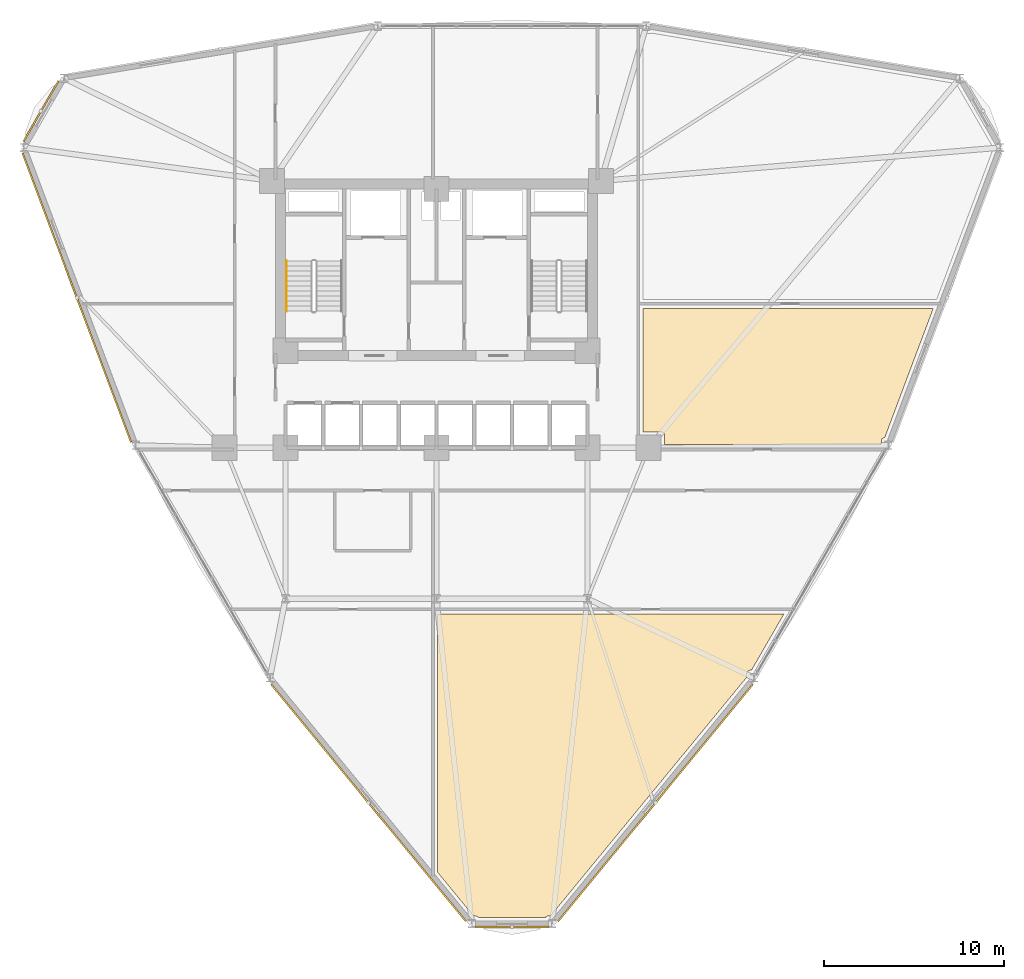
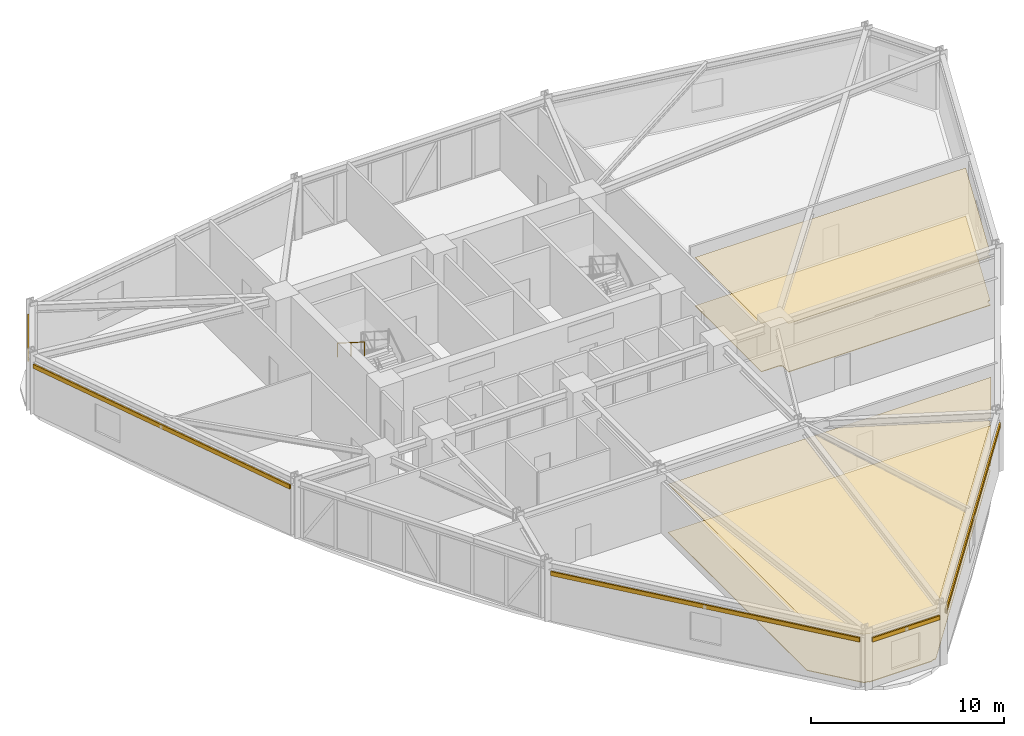
# One storey, part 18 of 20: 5 shading devices, 4 coverings, 1 railing.
"""IFC4 building model written with IfcOpenShell, lengths in metres."""

from ifc_helpers import new_model, si_unit, derived_unit, direction, frame, origin, origin_2d, place, context, subcontext, project, spatial, polyline, hollow_rectangle, circle, outline, extrude, source, transform, mapped, material, layer, layer_set, material_profile, profile_set, type_object, element, save


model = new_model("IFC4")

# Units and contexts
model_context = context("Model", 3, precision=1e-05, world=origin(), true_north=direction((0.0, 1.0)))
body_context = subcontext(model_context, "Body", "Model", "MODEL_VIEW")
ifc_project = project(units=[si_unit("LENGTHUNIT", "METRE"), si_unit("AREAUNIT", "SQUARE_METRE"), si_unit("VOLUMEUNIT", "CUBIC_METRE"), si_unit("PLANEANGLEUNIT", "RADIAN"), si_unit("MASSUNIT", "GRAM", prefix="KILO"), derived_unit("THERMALTRANSMITTANCEUNIT", [(si_unit("POWERUNIT", "WATT"), 1), (si_unit("LENGTHUNIT", "METRE"), -2), (si_unit("THERMODYNAMICTEMPERATUREUNIT", "KELVIN"), -1)])], contexts=[model_context])

# Site, building, storey
site_placement = place(None, origin())
site = spatial("IfcSite", under=ifc_project, at=site_placement, CompositionType="ELEMENT")
building_placement = place(site_placement, origin())
building = spatial("IfcBuilding", under=site, at=building_placement, Name="Korsvarv Bourse and Concert Hall", CompositionType="ELEMENT")
storey_placement = place(building_placement, frame((0.0, 0.0, 75.60009765625)))
storey = spatial("IfcBuildingStorey", under=building, at=storey_placement, Name="L18", CompositionType="ELEMENT", Elevation=75.60009765625)

# Coverings
ifc_material_1 = material(Name="Perforated mineral-wool and birch acoustic baffle ceiling", Category="wood")
ifc_layer_1 = layer(ifc_material_1, 0.02490234375)
ifc_layer_set_1 = layer_set([ifc_layer_1], Name="Perforated mineral-wool and birch acoustic baffle ceiling")
covering_type_1 = type_object("IfcCoveringType", Name="COV-CEIL-1", PredefinedType="CEILING", material=ifc_layer_set_1)
covering_1_placement = place(storey_placement, frame((0.0, 0.0, 3.059814453125)))
element("IfcCovering", 1, at=covering_1_placement, inside=storey, type_object=covering_type_1, Name="L18 acoustic baffle ceiling 2", PredefinedType="CEILING", context=body_context, shape_type="SweptSolid", body=[
    extrude(outline(polyline([(55.32958984375, 23.14990234375), (53.525634765625, 20.025146484375), (53.459716796875, 20.025146484375), (53.42529296875, 20.021728515625), (53.392333984375, 20.011962890625), (53.36181640625, 19.99609375), (53.334716796875, 19.974853515625), (53.312255859375, 19.948486328125), (53.29541015625, 19.918701171875), (53.2841796875, 19.885986328125), (53.27978515625, 19.851806640625), (53.27197265625, 19.6474609375), (42.344970703125, 6.352783203125), (42.22216796875, 6.352783203125), (42.1875, 6.349365234375), (42.154052734375, 6.33935546875), (42.123291015625, 6.322998046875), (42.095947265625, 6.30126953125), (42.073486328125, 6.2744140625), (38.335205078125, 6.265869140625), (38.318115234375, 6.287109375), (38.2919921875, 6.3095703125), (38.262451171875, 6.32666015625), (38.22998046875, 6.337890625), (38.196044921875, 6.342529296875), (38.05810546875, 6.348876953125), (36.050048828125, 8.792236328125), (36.050048828125, 23.14990234375), (55.32958984375, 23.14990234375)])), origin(), (0.0, 0.0, 1.0), 0.025146484375),
])
covering_2_placement = place(storey_placement, frame((0.0, 0.0, 3.059814453125)))
element("IfcCovering", 2, at=covering_2_placement, inside=storey, type_object=covering_type_1, Name="L18 acoustic baffle ceiling 3", PredefinedType="CEILING", context=body_context, shape_type="SweptSolid", body=[
    extrude(outline(polyline([(48.68994140625, 32.570068359375), (48.68994140625, 33.10009765625), (48.6865234375, 33.135009765625), (48.676513671875, 33.16845703125), (48.659912109375, 33.199462890625), (48.6376953125, 33.226806640625), (48.61083984375, 33.2490234375), (48.579833984375, 33.265869140625), (48.54638671875, 33.2763671875), (48.511474609375, 33.280029296875), (47.47998046875, 33.28857421875), (47.47998046875, 40.14990234375), (63.63720703125, 40.14990234375), (60.9375, 32.961181640625), (60.910888671875, 32.96044921875), (60.877197265625, 32.953857421875), (60.844970703125, 32.94091796875), (60.816162109375, 32.921875), (60.791259765625, 32.89794921875), (60.771484375, 32.869384765625), (60.757568359375, 32.837890625), (60.749755859375, 32.80419921875), (60.741455078125, 32.5693359375), (48.68994140625, 32.570068359375)])), origin(), (0.0, 0.0, 1.0), 0.025146484375),
])
ifc_material_2 = material(Name="Calcium-sulphate raised access trading floor with Nordic oak top", Category="wood")
ifc_layer_2 = layer(ifc_material_2, 0.0400390625)
ifc_layer_set_2 = layer_set([ifc_layer_2], Name="Calcium-sulphate raised access trading floor with Nordic oak top")
covering_type_2 = type_object("IfcCoveringType", Name="COV-FLOR-1", PredefinedType="FLOORING", material=ifc_layer_set_2)
covering_3_placement = place(storey_placement, origin())
element("IfcCovering", 3, at=covering_3_placement, inside=storey, type_object=covering_type_2, Name="L18 raised access oak floor finish 2", PredefinedType="FLOORING", context=body_context, shape_type="SweptSolid", body=[
    extrude(outline(polyline([(55.32958984375, 23.14990234375), (53.525634765625, 20.025146484375), (53.459716796875, 20.025146484375), (53.42529296875, 20.021728515625), (53.392333984375, 20.011962890625), (53.36181640625, 19.99609375), (53.334716796875, 19.974853515625), (53.312255859375, 19.948486328125), (53.29541015625, 19.918701171875), (53.2841796875, 19.885986328125), (53.27978515625, 19.851806640625), (53.27197265625, 19.6474609375), (42.344970703125, 6.352783203125), (42.22216796875, 6.352783203125), (42.1875, 6.349365234375), (42.154052734375, 6.33935546875), (42.123291015625, 6.322998046875), (42.095947265625, 6.30126953125), (42.073486328125, 6.2744140625), (38.335205078125, 6.265869140625), (38.318115234375, 6.287109375), (38.2919921875, 6.3095703125), (38.262451171875, 6.32666015625), (38.22998046875, 6.337890625), (38.196044921875, 6.342529296875), (38.05810546875, 6.348876953125), (36.050048828125, 8.792236328125), (36.050048828125, 23.14990234375), (55.32958984375, 23.14990234375)])), origin(), (0.0, 0.0, 1.0), 0.039794921875),
])
covering_4_placement = place(storey_placement, origin())
element("IfcCovering", 4, at=covering_4_placement, inside=storey, type_object=covering_type_2, Name="L18 raised access oak floor finish 3", PredefinedType="FLOORING", context=body_context, shape_type="SweptSolid", body=[
    extrude(outline(polyline([(48.68994140625, 32.570068359375), (48.68994140625, 33.10009765625), (48.6865234375, 33.135009765625), (48.676513671875, 33.16845703125), (48.659912109375, 33.199462890625), (48.6376953125, 33.226806640625), (48.61083984375, 33.2490234375), (48.579833984375, 33.265869140625), (48.54638671875, 33.2763671875), (48.511474609375, 33.280029296875), (47.47998046875, 33.28857421875), (47.47998046875, 40.14990234375), (63.63720703125, 40.14990234375), (60.9375, 32.961181640625), (60.910888671875, 32.96044921875), (60.877197265625, 32.953857421875), (60.844970703125, 32.94091796875), (60.816162109375, 32.921875), (60.791259765625, 32.89794921875), (60.771484375, 32.869384765625), (60.757568359375, 32.837890625), (60.749755859375, 32.80419921875), (60.741455078125, 32.5693359375), (48.68994140625, 32.570068359375)])), origin(), (0.0, 0.0, 1.0), 0.039794921875),
])

# Railing
ifc_material_3 = material(Name="Brushed stainless Steel S355 tubular handrail", Category="steel")
railing_type = type_object("IfcRailingType", Name="RL-ST-HND", PredefinedType="HANDRAIL", material=ifc_material_3)
railing_placement = place(storey_placement, frame((27.64990234375, 42.800048828125, 2.127197265625)))
element("IfcRailing", 5, at=railing_placement, inside=storey, type_object=railing_type, Name="L18 ST-T1 stair handrail 2", PredefinedType="HANDRAIL", context=body_context, shape_type="SweptSolid", body=[
    extrude(circle(Radius=0.02392578125, at=origin_2d()), frame((0.0, 0.0, 0.8759765625), z_axis=(0.0, -0.844908973607, 0.534910110503), x_axis=(1.0, 0.0, 0.0)), (0.0, 0.0, 1.0), 3.31396484375),
    extrude(circle(Radius=0.02099609375, at=origin_2d()), origin(), (0.0, 0.0, 1.0), 0.851806640625),
    extrude(circle(Radius=0.02099609375, at=origin_2d()), frame((0.0, -1.39990234375, 0.88623046875)), (0.0, 0.0, 1.0), 0.851806640625),
    extrude(circle(Radius=0.02099609375, at=origin_2d()), frame((0.0, -2.800048828125, 1.772705078125)), (0.0, 0.0, 1.0), 0.851806640625),
])

# Shading devices
ifc_material_4 = material(Name="Glazed extruded architectural terracotta", Category="ceramic")
ifc_material_profile = material_profile(ifc_material_4, hollow_rectangle(XDim=0.090087890625, YDim=0.260009765625, WallThickness=0.011962890625, at=origin_2d()), Name="TC-BAG 90x260")
ifc_profile_set = profile_set([ifc_material_profile], Name="Glazed extruded architectural terracotta")
shading_device_type = type_object("IfcShadingDeviceType", Name="SHD-BAG-1", PredefinedType="USERDEFINED", material=ifc_profile_set)
shared_shape_1 = source(origin(), body_context, "Body", "SweptSolid", [
    extrude(hollow_rectangle(XDim=0.090087890625, YDim=0.260009765625, WallThickness=0.011962890625, at=origin_2d()), origin(), (0.0, 0.0, 1.0), 3.90966796875),
])
shading_device_1_placement = place(storey_placement, frame((14.97216796875, 52.822509765625, 3.06982421875), z_axis=(-0.500014353419, -0.866017116675, 0.0), x_axis=(0.866017116675, -0.500014353419, 0.0)))
element("IfcShadingDevice", 6, at=shading_device_1_placement, inside=storey, type_object=shading_device_type, Name="L18 terracotta baguette sunshade EW-L18-B05", ObjectType="BAGUETTE", PredefinedType="USERDEFINED", context=body_context, shape_type="MappedRepresentation", body=[
    mapped(shared_shape_1, transform((0.0, 0.0, 0.0), scale=1.0)),
])
shared_shape_2 = source(origin(), body_context, "Body", "SweptSolid", [
    extrude(hollow_rectangle(XDim=0.090087890625, YDim=0.260009765625, WallThickness=0.011962890625, at=origin_2d()), origin(), (0.0, 0.0, 1.0), 17.1806640625),
])
shading_device_2_placement = place(storey_placement, frame((12.96484375, 48.798583984375, 3.06982421875), z_axis=(0.351559441404, -0.936165561832, 0.0), x_axis=(0.936165561832, 0.351559441404, 0.0)))
element("IfcShadingDevice", 7, at=shading_device_2_placement, inside=storey, type_object=shading_device_type, Name="L18 terracotta baguette sunshade EW-L18-B06", ObjectType="BAGUETTE", PredefinedType="USERDEFINED", context=body_context, shape_type="MappedRepresentation", body=[
    mapped(shared_shape_2, transform((0.0, 0.0, 0.0), scale=1.0)),
])
shared_shape_3 = source(origin(), body_context, "Body", "SweptSolid", [
    extrude(hollow_rectangle(XDim=0.090087890625, YDim=0.260009765625, WallThickness=0.011962890625, at=origin_2d()), origin(), (0.0, 0.0, 1.0), 17.0712890625),
])
for number, where, z_axis, x_axis, name in (
    (8, (26.7919921875, 19.2451171875, 3.06982421875), (0.634956540438, -0.772547857259, 0.0), (0.772547857259, 0.634956540438, 0.0), "L18 terracotta baguette sunshade EW-L18-B08"),
    (9, (42.768310546875, 6.056640625, 3.06982421875), (0.634956540438, 0.772547857259, 0.0), (-0.772547857259, 0.634956540438, 0.0), "L18 terracotta baguette sunshade EW-L18-B10"),
):
    element("IfcShadingDevice", number, at=place(storey_placement, frame(where, z_axis=z_axis, x_axis=x_axis)), inside=storey, type_object=shading_device_type, Name=name, ObjectType="BAGUETTE", PredefinedType="USERDEFINED", context=body_context, shape_type="MappedRepresentation", body=[
        mapped(shared_shape_3, transform((0.0, 0.0, 0.0), scale=1.0)),
    ])
shared_shape_4 = source(origin(), body_context, "Body", "SweptSolid", [
    extrude(hollow_rectangle(XDim=0.090087890625, YDim=0.260009765625, WallThickness=0.011962890625, at=origin_2d()), origin(), (0.0, 0.0, 1.0), 4.034423828125),
])
shading_device_3_placement = place(storey_placement, frame((38.182861328125, 5.74072265625, 3.06982421875), z_axis=(1.0, 0.0, 0.0), x_axis=(0.0, 1.0, 0.0)))
element("IfcShadingDevice", 10, at=shading_device_3_placement, inside=storey, type_object=shading_device_type, Name="L18 terracotta baguette sunshade EW-L18-B09", ObjectType="BAGUETTE", PredefinedType="USERDEFINED", context=body_context, shape_type="MappedRepresentation", body=[
    mapped(shared_shape_4, transform((0.0, 0.0, 0.0), scale=1.0)),
])

save(model, "model.ifc")
